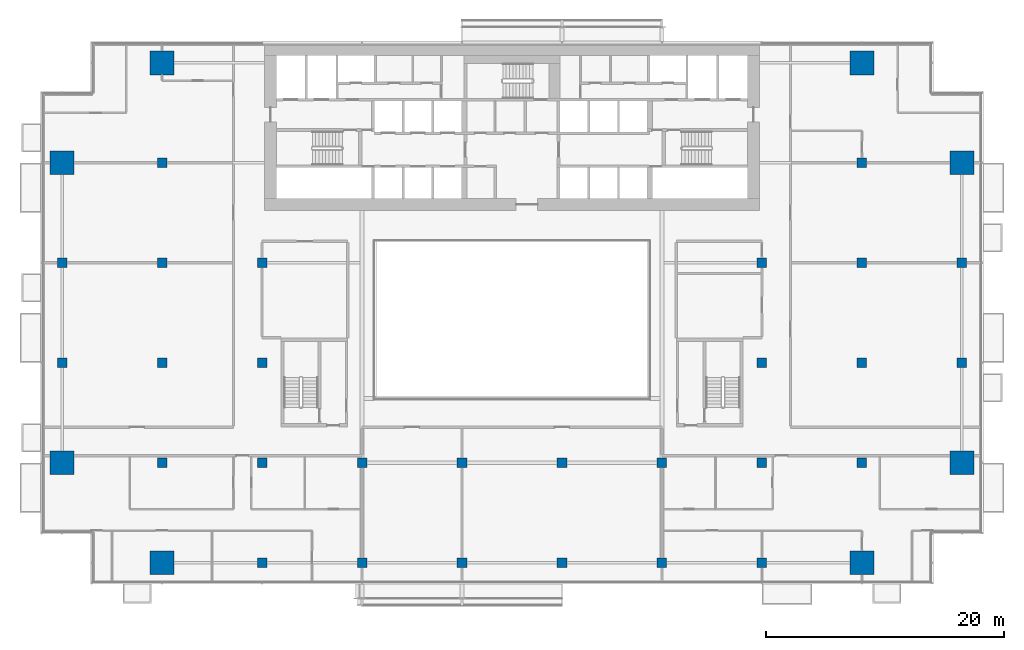
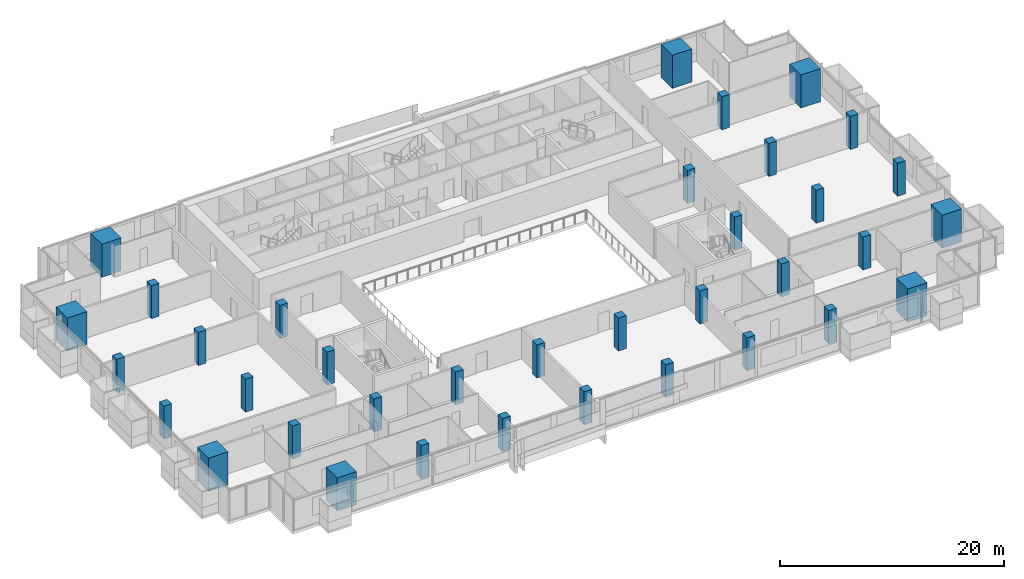
# One storey, part 1 of 26: 36 columns.
"""IFC4 building model written with IfcOpenShell, lengths in metres."""

from ifc_helpers import new_model, si_unit, direction, frame, origin, origin_2d, place, context, subcontext, project, spatial, rectangle, extrude, material, material_profile, profile_set, type_object, element, save


model = new_model("IFC4")

# Units and contexts
model_context = context("Model", 3, precision=1e-05, world=origin(), true_north=direction((0.0, 1.0)))
body_context = subcontext(model_context, "Body", "Model", "MODEL_VIEW")
ifc_project = project(units=[si_unit("LENGTHUNIT", "METRE"), si_unit("AREAUNIT", "SQUARE_METRE"), si_unit("VOLUMEUNIT", "CUBIC_METRE"), si_unit("PLANEANGLEUNIT", "RADIAN"), si_unit("MASSUNIT", "GRAM", prefix="KILO")], contexts=[model_context])

# Site, building, storey
site_placement = place(None, origin())
site = spatial("IfcSite", under=ifc_project, at=site_placement, CompositionType="ELEMENT")
building_placement = place(site_placement, origin())
building = spatial("IfcBuilding", under=site, at=building_placement, Name="Saffron Gate Tower", CompositionType="ELEMENT")
storey_placement = place(building_placement, frame((0.0, 0.0, 98.85009765625)))
storey = spatial("IfcBuildingStorey", under=building, at=storey_placement, Name="L22", CompositionType="ELEMENT", Elevation=98.85009765625)

# Columns
ifc_material_1 = material(Name="Concrete C60", Category="concrete")
ifc_material_profile_1 = material_profile(ifc_material_1, rectangle(XDim=0.800048828125, YDim=0.800048828125, at=origin_2d()))
ifc_profile_set_1 = profile_set([ifc_material_profile_1], Name="Concrete C60")
column_type_1 = type_object("IfcColumnType", Name="C5 RC 800x800 CONCRETE C60", PredefinedType="COLUMN", material=ifc_profile_set_1)
for number, where, z_axis, x_axis, name in (
    (1, (49.800048828125, 48.60009765625, 0.0), (0.0, 0.0, 1.0), (1.0, 0.0, 0.0), "C5 COLUMN X1-C"),
    (2, (49.800048828125, 57.0, 0.0), (0.0, 0.0, 1.0), (1.0, 0.0, 0.0), "C5 COLUMN X1-D"),
    (3, (58.199951171875, 40.199951171875, 0.0), (0.0, 0.0, 1.0), (1.0, 0.0, 0.0), "C5 COLUMN X2-B"),
    (4, (58.199951171875, 48.60009765625, 0.0), (0.0, 0.0, 1.0), (1.0, 0.0, 0.0), "C5 COLUMN X2-C"),
    (5, (58.199951171875, 57.0, 0.0), (0.0, 0.0, 1.0), (1.0, 0.0, 0.0), "C5 COLUMN X2-D"),
    (6, (58.199951171875, 65.39990234375, 0.0), (0.0, 0.0, 1.0), (1.0, 0.0, 0.0), "C5 COLUMN X2-E"),
    (7, (66.60009765625, 31.800048828125, 0.0), (0.0, 0.0, 1.0), (1.0, 0.0, 0.0), "C5 COLUMN X3-A"),
    (8, (66.60009765625, 40.199951171875, 0.0), (0.0, 0.0, 1.0), (1.0, 0.0, 0.0), "C5 COLUMN X3-B"),
    (9, (66.60009765625, 48.60009765625, 0.0), (0.0, 0.0, 1.0), (1.0, 0.0, 0.0), "C5 COLUMN X3-C"),
    (10, (66.60009765625, 57.0, 0.0), (0.0, 0.0, 1.0), (1.0, 0.0, 0.0), "C5 COLUMN X3-D"),
    (11, (75.0, 31.800048828125, 0.0), (0.0, 0.0, 1.0), (1.0, 0.0, 0.0), "C5 COLUMN X4-A"),
    (12, (75.0, 40.199951171875, 0.0), (0.0, 0.0, 1.0), (1.0, 0.0, 0.0), "C5 COLUMN X4-B"),
    (13, (83.39990234375, 31.800048828125, 0.0), (0.0, 0.0, 1.0), (1.0, 0.0, 0.0), "C5 COLUMN X5-A"),
    (14, (83.39990234375, 40.199951171875, 0.0), (0.0, 0.0, 1.0), (1.0, 0.0, 0.0), "C5 COLUMN X5-B"),
    (15, (91.800048828125, 31.800048828125, 0.0), (0.0, 0.0, 1.0), (1.0, 0.0, 0.0), "C5 COLUMN X6-A"),
    (16, (91.800048828125, 40.199951171875, 0.0), (0.0, 0.0, 1.0), (1.0, 0.0, 0.0), "C5 COLUMN X6-B"),
    (17, (100.199951171875, 31.800048828125, 0.0), (0.0, 0.0, 1.0), (1.0, 0.0, 0.0), "C5 COLUMN X7-A"),
    (18, (100.199951171875, 40.199951171875, 0.0), (0.0, 0.0, 1.0), (1.0, 0.0, 0.0), "C5 COLUMN X7-B"),
    (19, (108.60009765625, 31.800048828125, 0.0), (0.0, 0.0, 1.0), (1.0, 0.0, 0.0), "C5 COLUMN X8-A"),
    (20, (108.60009765625, 40.199951171875, 0.0), (0.0, 0.0, 1.0), (1.0, 0.0, 0.0), "C5 COLUMN X8-B"),
    (21, (108.60009765625, 48.60009765625, 0.0), (0.0, 0.0, 1.0), (1.0, 0.0, 0.0), "C5 COLUMN X8-C"),
    (22, (108.60009765625, 57.0, 0.0), (0.0, 0.0, 1.0), (1.0, 0.0, 0.0), "C5 COLUMN X8-D"),
    (23, (117.0, 40.199951171875, 0.0), (0.0, 0.0, 1.0), (1.0, 0.0, 0.0), "C5 COLUMN X9-B"),
    (24, (117.0, 48.60009765625, 0.0), (0.0, 0.0, 1.0), (1.0, 0.0, 0.0), "C5 COLUMN X9-C"),
    (25, (117.0, 57.0, 0.0), (0.0, 0.0, 1.0), (1.0, 0.0, 0.0), "C5 COLUMN X9-D"),
    (26, (117.0, 65.39990234375, 0.0), (0.0, 0.0, 1.0), (1.0, 0.0, 0.0), "C5 COLUMN X9-E"),
    (27, (125.39990234375, 48.60009765625, 0.0), (0.0, 0.0, 1.0), (1.0, 0.0, 0.0), "C5 COLUMN X10-C"),
    (28, (125.39990234375, 57.0, 0.0), (0.0, 0.0, 1.0), (1.0, 0.0, 0.0), "C5 COLUMN X10-D"),
):
    element("IfcColumn", number, at=place(storey_placement, frame(where, z_axis=z_axis, x_axis=x_axis)), inside=storey, type_object=column_type_1, Name=name, PredefinedType="COLUMN", context=body_context, shape_type="SweptSolid", body=[
        extrude(rectangle(XDim=0.800048828125, YDim=0.800048828125, at=origin_2d()), origin(), (0.0, 0.0, 1.0), 3.599853515625),
    ])
ifc_material_2 = material(Name="Concrete C80", Category="concrete")
ifc_material_profile_2 = material_profile(ifc_material_2, rectangle(XDim=2.0, YDim=2.0, at=origin_2d()))
ifc_profile_set_2 = profile_set([ifc_material_profile_2], Name="Concrete C80")
column_type_2 = type_object("IfcColumnType", Name="MC3 RC 2000x2000 CONCRETE C80", PredefinedType="COLUMN", material=ifc_profile_set_2)
for number, where, z_axis, x_axis, name in (
    (29, (49.800048828125, 40.199951171875, 0.0), (0.0, 0.0, 1.0), (1.0, 0.0, 0.0), "MC3 MEGA COLUMN X1-B"),
    (30, (49.800048828125, 65.39990234375, 0.0), (0.0, 0.0, 1.0), (1.0, 0.0, 0.0), "MC3 MEGA COLUMN X1-E"),
    (31, (58.199951171875, 31.800048828125, 0.0), (0.0, 0.0, 1.0), (1.0, 0.0, 0.0), "MC3 MEGA COLUMN X2-A"),
    (32, (58.199951171875, 73.800048828125, 0.0), (0.0, 0.0, 1.0), (1.0, 0.0, 0.0), "MC3 MEGA COLUMN X2-F"),
    (33, (117.0, 31.800048828125, 0.0), (0.0, 0.0, 1.0), (1.0, 0.0, 0.0), "MC3 MEGA COLUMN X9-A"),
    (34, (117.0, 73.800048828125, 0.0), (0.0, 0.0, 1.0), (1.0, 0.0, 0.0), "MC3 MEGA COLUMN X9-F"),
    (35, (125.39990234375, 40.199951171875, 0.0), (0.0, 0.0, 1.0), (1.0, 0.0, 0.0), "MC3 MEGA COLUMN X10-B"),
    (36, (125.39990234375, 65.39990234375, 0.0), (0.0, 0.0, 1.0), (1.0, 0.0, 0.0), "MC3 MEGA COLUMN X10-E"),
):
    element("IfcColumn", number, at=place(storey_placement, frame(where, z_axis=z_axis, x_axis=x_axis)), inside=storey, type_object=column_type_2, Name=name, PredefinedType="COLUMN", context=body_context, shape_type="SweptSolid", body=[
        extrude(rectangle(XDim=2.0, YDim=2.0, at=origin_2d()), origin(), (0.0, 0.0, 1.0), 3.599853515625),
    ])

save(model, "model.ifc")
